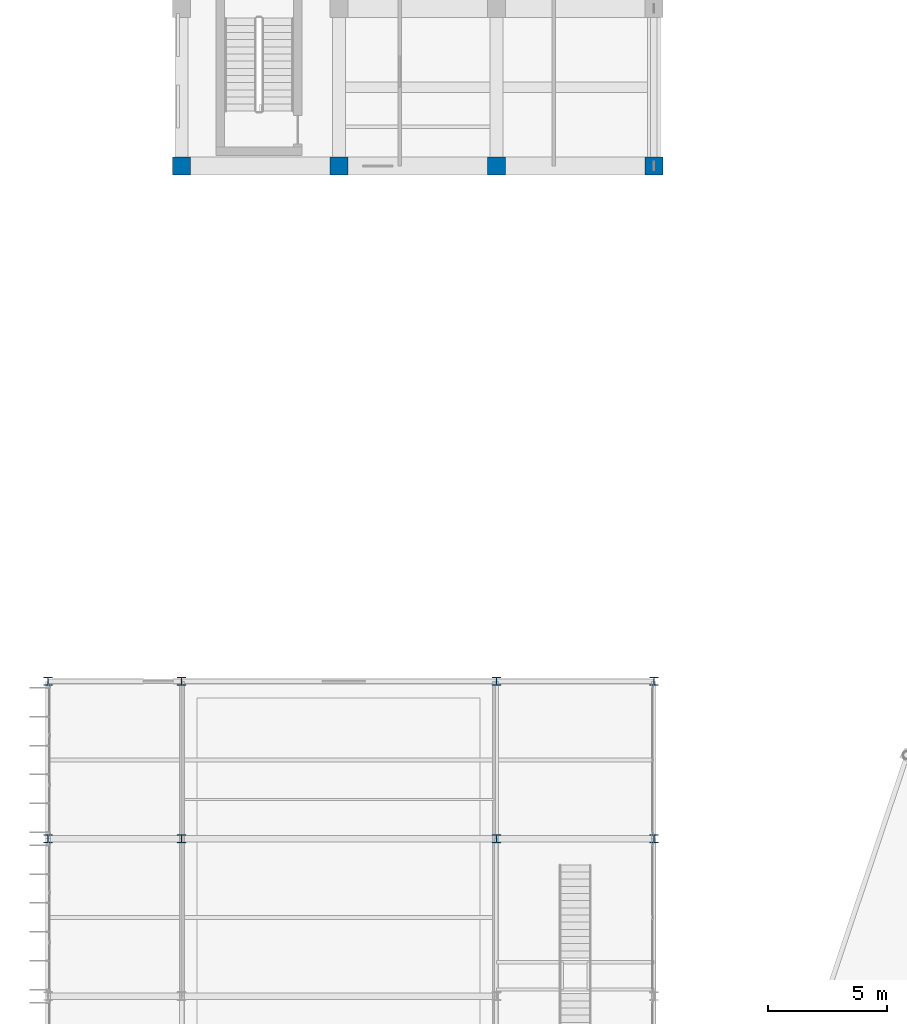
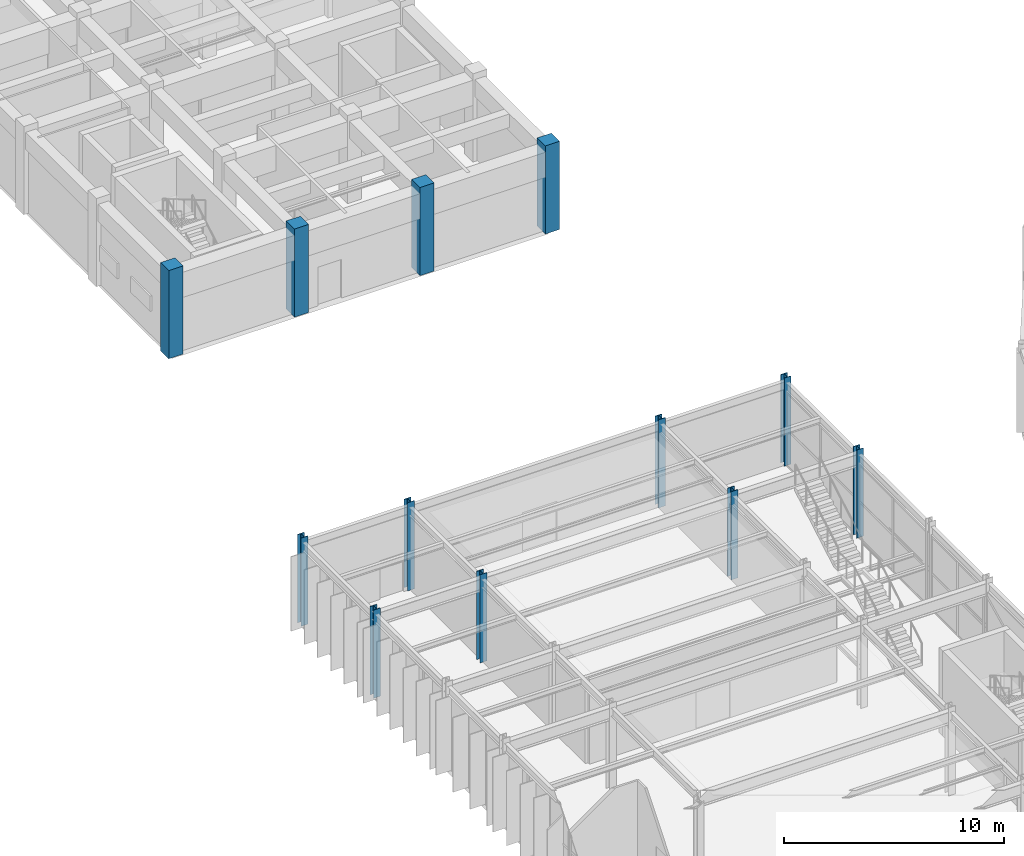
# One storey, part 11 of 144: 12 columns.
"""IFC4 building model written with IfcOpenShell, lengths in metres."""

from ifc_helpers import new_model, si_unit, direction, frame, origin, origin_2d, place, context, subcontext, project, spatial, rectangle, i_section, extrude, material, material_profile, profile_set, type_object, element, save


model = new_model("IFC4")

# Units and contexts
model_context = context("Model", 3, precision=1e-05, world=origin(), true_north=direction((0.0, 1.0)))
body_context = subcontext(model_context, "Body", "Model", "MODEL_VIEW")
ifc_project = project(units=[si_unit("LENGTHUNIT", "METRE"), si_unit("AREAUNIT", "SQUARE_METRE"), si_unit("VOLUMEUNIT", "CUBIC_METRE"), si_unit("PLANEANGLEUNIT", "RADIAN"), si_unit("MASSUNIT", "GRAM", prefix="KILO")], contexts=[model_context])

# Site, building, storey
site_placement = place(None, origin())
site = spatial("IfcSite", under=ifc_project, at=site_placement, CompositionType="ELEMENT")
building_placement = place(site_placement, origin())
building = spatial("IfcBuilding", under=site, at=building_placement, Name="Karori Crest Natural Sciences Institute", CompositionType="ELEMENT")
storey_placement = place(building_placement, origin())
storey = spatial("IfcBuildingStorey", under=building, at=storey_placement, Name="L00", CompositionType="ELEMENT", Elevation=0.0)

# Columns
ifc_material_1 = material(Name="Structural steel AS/NZS 3679.1 Grade 350", Category="steel")
ifc_material_profile_1 = material_profile(ifc_material_1, i_section(OverallWidth=0.35009765625, OverallDepth=0.35009765625, WebThickness=0.02001953125, FlangeThickness=0.031982421875, FilletRadius=0.01611328125, at=origin_2d()), Name="350WC280")
ifc_profile_set_1 = profile_set([ifc_material_profile_1], Name="Structural steel AS/NZS 3679.1 Grade 350")
column_type_1 = type_object("IfcColumnType", Name="CT-03", PredefinedType="COLUMN", material=ifc_profile_set_1)
for number, where, z_axis, x_axis, name in (
    (1, (7.39990234375, 66.800048828125, 0.0), (0.0, 0.0, 1.0), (1.0, 0.0, 0.0), "Column C-0610"),
    (2, (20.60009765625, 66.800048828125, 0.0), (0.0, 0.0, 1.0), (1.0, 0.0, 0.0), "Column C-0655"),
):
    element("IfcColumn", number, at=place(storey_placement, frame(where, z_axis=z_axis, x_axis=x_axis)), inside=storey, type_object=column_type_1, Name=name, PredefinedType="COLUMN", context=body_context, shape_type="SweptSolid", body=[
        extrude(i_section(OverallWidth=0.35009765625, OverallDepth=0.35009765625, WebThickness=0.02001953125, FlangeThickness=0.031982421875, FilletRadius=0.01611328125, at=origin_2d()), origin(), (0.0, 0.0, 1.0), 4.89990234375),
    ])
ifc_material_profile_2 = material_profile(ifc_material_1, i_section(OverallWidth=0.35009765625, OverallDepth=0.35009765625, WebThickness=0.02001953125, FlangeThickness=0.031982421875, FilletRadius=0.01611328125, at=origin_2d()), Name="350WC280")
ifc_profile_set_2 = profile_set([ifc_material_profile_2], Name="Structural steel AS/NZS 3679.1 Grade 350")
column_type_2 = type_object("IfcColumnType", Name="CT-03-EL", PredefinedType="COLUMN", material=ifc_profile_set_2)
for number, where, z_axis, x_axis, name in (
    (3, (1.800048828125, 66.800048828125, 0.0), (0.0, 0.0, 1.0), (1.0, 0.0, 0.0), "Column C-0565"),
    (4, (1.800048828125, 73.39990234375, 0.0), (0.0, 0.0, 1.0), (1.0, 0.0, 0.0), "Column C-0570"),
    (5, (7.39990234375, 73.39990234375, 0.0), (0.0, 0.0, 1.0), (1.0, 0.0, 0.0), "Column C-0615"),
    (6, (20.60009765625, 73.39990234375, 0.0), (0.0, 0.0, 1.0), (1.0, 0.0, 0.0), "Column C-0660"),
    (7, (27.199951171875, 66.800048828125, 0.0), (0.0, 0.0, 1.0), (1.0, 0.0, 0.0), "Column C-0700"),
    (8, (27.199951171875, 73.39990234375, 0.0), (0.0, 0.0, 1.0), (1.0, 0.0, 0.0), "Column C-0705"),
):
    element("IfcColumn", number, at=place(storey_placement, frame(where, z_axis=z_axis, x_axis=x_axis)), inside=storey, type_object=column_type_2, Name=name, PredefinedType="COLUMN", context=body_context, shape_type="SweptSolid", body=[
        extrude(i_section(OverallWidth=0.35009765625, OverallDepth=0.35009765625, WebThickness=0.02001953125, FlangeThickness=0.031982421875, FilletRadius=0.01611328125, at=origin_2d()), origin(), (0.0, 0.0, 1.0), 4.89990234375),
    ])
ifc_material_2 = material(Name="Concrete 50 MPa", Category="concrete")
ifc_material_profile_3 = material_profile(ifc_material_2, rectangle(XDim=0.75, YDim=0.75, at=origin_2d()), Name="RC750x750")
ifc_profile_set_3 = profile_set([ifc_material_profile_3], Name="Concrete 50 MPa")
column_type_3 = type_object("IfcColumnType", Name="CT-18", PredefinedType="COLUMN", material=ifc_profile_set_3)
for number, where, z_axis, x_axis, name in (
    (9, (7.39990234375, 95.0, 0.0), (0.0, 0.0, 1.0), (1.0, 0.0, 0.0), "Column C-0710"),
    (10, (14.0, 95.0, 0.0), (0.0, 0.0, 1.0), (1.0, 0.0, 0.0), "Column C-0787"),
    (11, (20.60009765625, 95.0, 0.0), (0.0, 0.0, 1.0), (1.0, 0.0, 0.0), "Column C-0864"),
    (12, (27.199951171875, 95.0, 0.0), (0.0, 0.0, 1.0), (1.0, 0.0, 0.0), "Column C-0941"),
):
    element("IfcColumn", number, at=place(storey_placement, frame(where, z_axis=z_axis, x_axis=x_axis)), inside=storey, type_object=column_type_3, Name=name, PredefinedType="COLUMN", context=body_context, shape_type="SweptSolid", body=[
        extrude(rectangle(XDim=0.75, YDim=0.75, at=origin_2d()), origin(), (0.0, 0.0, 1.0), 4.89990234375),
    ])

save(model, "model.ifc")
